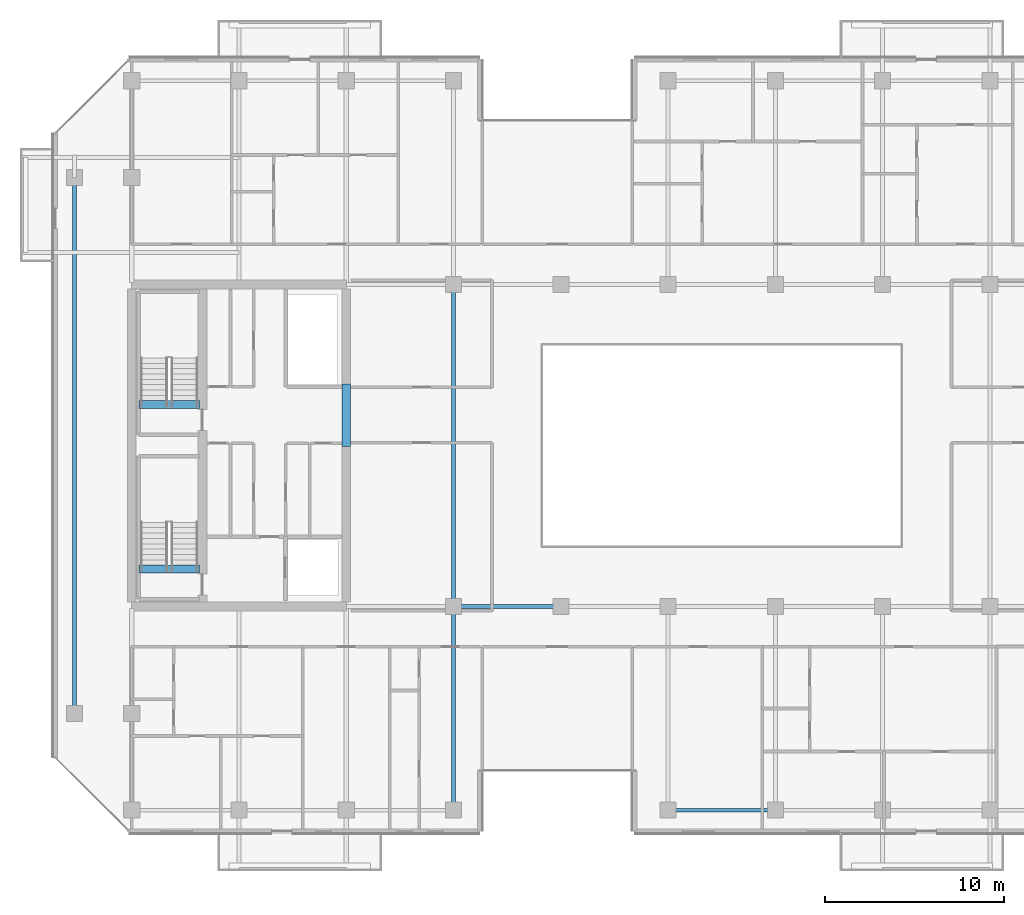
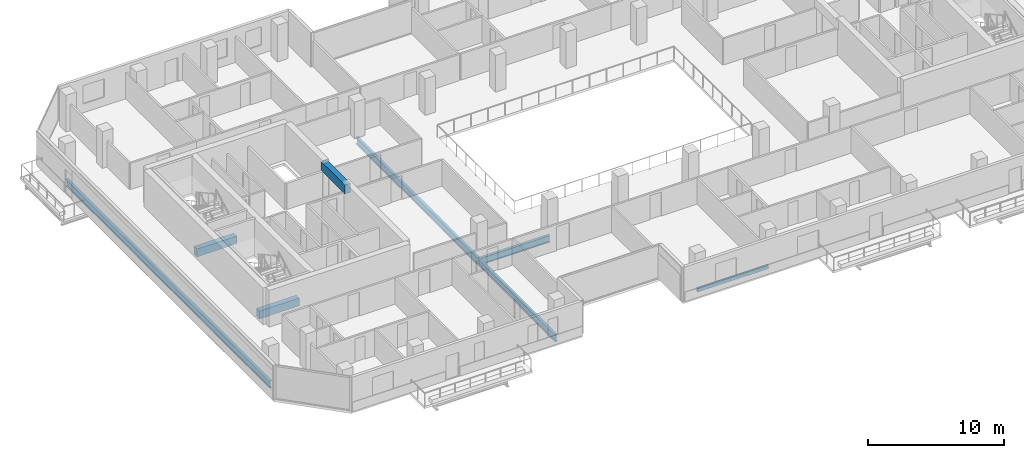
# One storey, part 5 of 29: 8 beams.
"""IFC4 building model written with IfcOpenShell, lengths in metres."""

import ifcopenshell
import ifcopenshell.guid

model = None  # the IFC model being written
_history = None  # IfcOwnerHistory: only IFC2X3 demands one
_inside = {}  # id of a spatial element -> (the spatial element, [elements in it])
_under = {}  # id of a project, library or spatial element -> (it, [spatial elements below it])
_declared = {}  # id of a project -> (the project, [libraries it declares])
_typed = {}  # id of a type object -> (the type object, [elements of that type])
_made_of = {}  # id of a material, layer set ... -> (it, [elements and type objects made of it])


def new_model(schema):
    """Start an empty IFC model of exactly this schema.

    Asked for "IFC4X3", IfcOpenShell would pick the latest addendum, in which some entities
    have other attributes; the version numbers below select the first issue.
    IFC2X3 requires an IfcOwnerHistory on every rooted entity: one is made here for all.
    """
    global model, _history
    if schema == "IFC4X3":
        model = ifcopenshell.file(schema_version=(4, 3, 0, 0))
    else:
        model = ifcopenshell.file(schema=schema)
    _inside.clear()
    _under.clear()
    _declared.clear()
    _typed.clear()
    _made_of.clear()
    _history = None
    if model.schema == "IFC2X3":
        org = make("IfcOrganization", Name="unknown")
        user = make(
            "IfcPersonAndOrganization",
            ThePerson=make("IfcPerson", FamilyName="unknown"),
            TheOrganization=org,
        )
        app = make(
            "IfcApplication",
            ApplicationDeveloper=org,
            Version="unknown",
            ApplicationFullName="unknown",
            ApplicationIdentifier="unknown",
        )
        _history = make(
            "IfcOwnerHistory",
            OwningUser=user,
            OwningApplication=app,
            ChangeAction="ADDED",
            CreationDate=0,
        )
    return model


def make(cls, **values):
    """One entity of the class cls with the attributes given. An attribute that is None is left unset."""
    return model.create_entity(
        cls, **{name: value for name, value in values.items() if value is not None}
    )


def rooted(cls, **values):
    """An entity with a GlobalId (a new one), such as an element, a storey or a relation."""
    return make(cls, GlobalId=ifcopenshell.guid.new(), OwnerHistory=_history, **values)


def si_unit(unit_type, name, prefix=None):
    """IfcSIUnit, for example si_unit("LENGTHUNIT", "METRE", prefix="MILLI")."""
    return make("IfcSIUnit", UnitType=unit_type, Prefix=prefix, Name=name)


def assignment(units):
    """IfcUnitAssignment: the units of a project."""
    return None if units is None else make("IfcUnitAssignment", Units=units)


def point(xyz):
    """IfcCartesianPoint."""
    return None if xyz is None else make("IfcCartesianPoint", Coordinates=xyz)


def direction(xyz):
    """IfcDirection."""
    return None if xyz is None else make("IfcDirection", DirectionRatios=xyz)


def frame(location, z_axis=None, x_axis=None):
    """IfcAxis2Placement3D, a coordinate frame: its origin and axes. An axis left out is left unset."""
    return make(
        "IfcAxis2Placement3D",
        Location=point(location),
        Axis=direction(z_axis),
        RefDirection=direction(x_axis),
    )


def frame_2d(location, x_axis=None):
    """IfcAxis2Placement2D, a coordinate frame in the plane: its origin and x axis."""
    return make(
        "IfcAxis2Placement2D", Location=point(location), RefDirection=direction(x_axis)
    )


def origin():
    """The frame at (0, 0, 0) with its axes left unset."""
    return frame((0.0, 0.0, 0.0))


def origin_2d():
    """The frame at (0, 0) in the plane with its x axis left unset."""
    return frame_2d((0.0, 0.0))


def place(relative_to, where):
    """IfcLocalPlacement: puts the frame where relative to a parent placement (None: the world)."""
    return make(
        "IfcLocalPlacement", PlacementRelTo=relative_to, RelativePlacement=where
    )


def context(
    kind, dimensions, precision=None, world=None, true_north=None, identifier=None
):
    """IfcGeometricRepresentationContext, for example the 3D "Model" context."""
    return make(
        "IfcGeometricRepresentationContext",
        ContextIdentifier=identifier,
        ContextType=kind,
        CoordinateSpaceDimension=dimensions,
        Precision=precision,
        WorldCoordinateSystem=world,
        TrueNorth=true_north,
    )


def subcontext(parent, identifier, kind, view, scale=None):
    """IfcGeometricRepresentationSubContext, for example "Body" below "Model"."""
    return make(
        "IfcGeometricRepresentationSubContext",
        ContextIdentifier=identifier,
        ContextType=kind,
        ParentContext=parent,
        TargetScale=scale,
        TargetView=view,
    )


def project(units=None, contexts=None):
    """IfcProject with its units and contexts."""
    return rooted(
        "IfcProject",
        Name="project",
        RepresentationContexts=contexts,
        UnitsInContext=assignment(units),
    )


def spatial(cls, under=None, at=None, **own):
    """A site, building, storey or space (cls), placed at a placement, below another one or the project."""
    s = rooted(cls, ObjectPlacement=at, **own)
    if under is not None:
        _under.setdefault(under.id(), (under, []))[1].append(s)
    return s


def profile(cls, at=None, kind="AREA", **sizes):
    """A parametric profile (cls). Its sizes go by their IFC names, for example OverallWidth=200.0."""
    return make(cls, ProfileType=kind, Position=at, **sizes)


def rectangle(**sizes):
    """IfcRectangleProfileDef."""
    return profile("IfcRectangleProfileDef", **sizes)


def hollow_rectangle(**sizes):
    """IfcRectangleHollowProfileDef."""
    return profile("IfcRectangleHollowProfileDef", **sizes)


def i_section(**sizes):
    """IfcIShapeProfileDef."""
    return profile("IfcIShapeProfileDef", **sizes)


def extrude(swept, where, along, depth):
    """IfcExtrudedAreaSolid: the profile swept, set in the frame where, extruded along a direction by depth."""
    return make(
        "IfcExtrudedAreaSolid",
        SweptArea=swept,
        Position=where,
        ExtrudedDirection=direction(along),
        Depth=depth,
    )


def shape(context_of_items, identifier, shape_type, items):
    """IfcShapeRepresentation: the items that make up one representation, for example the "Body"."""
    return make(
        "IfcShapeRepresentation",
        ContextOfItems=context_of_items,
        RepresentationIdentifier=identifier,
        RepresentationType=shape_type,
        Items=items,
    )


def material(Name=None, Category=None):
    """IfcMaterial."""
    return make("IfcMaterial", Name=Name, Category=Category)


def material_profile(
    of_material, cross_section, Name=None, Category=None, Priority=None
):
    """IfcMaterialProfile: a cross section and its material."""
    return make(
        "IfcMaterialProfile",
        Name=Name,
        Material=of_material,
        Profile=cross_section,
        Priority=Priority,
        Category=Category,
    )


def profile_set(profiles, Name=None, composite=None):
    """IfcMaterialProfileSet."""
    return make(
        "IfcMaterialProfileSet",
        Name=Name,
        MaterialProfiles=profiles,
        CompositeProfile=composite,
    )


def made_of(thing, what):
    """Note that an element or type object is made of a material, layer set ...; save() writes the relation."""
    if what is not None:
        _made_of.setdefault(what.id(), (what, []))[1].append(thing)
    return thing


def type_object(cls, material=None, **own):
    """A type object (cls), such as IfcWallType, which elements share."""
    return made_of(rooted(cls, **own), material)


def element(
    cls,
    number,
    at=None,
    inside=None,
    cuts=None,
    type_object=None,
    material=None,
    context=None,
    identifier="Body",
    shape_type=None,
    held_by="IfcProductDefinitionShape",
    body=None,
    shapes=None,
    **own,
):
    """One element of the class cls, such as IfcWall. Its Tag is "e" and its number.

    at: its placement. inside: the storey or other place that contains it. cuts: it is an
    opening in that element (IfcRelVoidsElement). A single representation is given by context,
    identifier, shape_type and body (its items); several are given by shapes. held_by: the class
    of the entity that holds the representations. save() writes the other relations.
    """
    e = rooted(cls, Tag="e%d" % number, ObjectPlacement=at, **own)
    if body is not None:
        shapes = [shape(context, identifier, shape_type, body)]
    if shapes is not None:
        e.Representation = make(held_by, Representations=shapes)
    if inside is not None:
        _inside.setdefault(inside.id(), (inside, []))[1].append(e)
    if cuts is not None:
        rooted(
            "IfcRelVoidsElement", RelatingBuildingElement=cuts, RelatedOpeningElement=e
        )
    if type_object is not None:
        _typed.setdefault(type_object.id(), (type_object, []))[1].append(e)
    return made_of(e, material)


def aggregate(whole, parts):
    """IfcRelAggregates: a whole, such as a stair, and the parts it consists of."""
    return rooted("IfcRelAggregates", RelatingObject=whole, RelatedObjects=parts)


def save(model, path):
    """Write the relations noted so far, then the file.

    IfcRelAggregates (storeys below a building ...), IfcRelContainedInSpatialStructure (elements
    in a storey), IfcRelDefinesByType, IfcRelAssociatesMaterial and IfcRelDeclares: one each for
    every whole, place, type object, material and project.
    """
    for whole, parts in _under.values():
        aggregate(whole, parts)
    for where, things in _inside.values():
        rooted(
            "IfcRelContainedInSpatialStructure",
            RelatedElements=things,
            RelatingStructure=where,
        )
    for kind, things in _typed.values():
        rooted("IfcRelDefinesByType", RelatedObjects=things, RelatingType=kind)
    for what, things in _made_of.values():
        rooted("IfcRelAssociatesMaterial", RelatedObjects=things, RelatingMaterial=what)
    for by, libraries in _declared.values():
        rooted("IfcRelDeclares", RelatingContext=by, RelatedDefinitions=libraries)
    model.write(path)


model = new_model("IFC4")

# Units and contexts
model_context = context("Model", 3, precision=1e-05, world=origin(), true_north=direction((0.0, 1.0)))
body_context = subcontext(model_context, "Body", "Model", "MODEL_VIEW")
ifc_project = project(units=[si_unit("LENGTHUNIT", "METRE"), si_unit("AREAUNIT", "SQUARE_METRE"), si_unit("VOLUMEUNIT", "CUBIC_METRE"), si_unit("PLANEANGLEUNIT", "RADIAN"), si_unit("MASSUNIT", "GRAM", prefix="KILO")], contexts=[model_context])

# Site, building, storey
site_placement = place(None, origin())
site = spatial("IfcSite", under=ifc_project, at=site_placement, CompositionType="ELEMENT")
building_placement = place(site_placement, origin())
building = spatial("IfcBuilding", under=site, at=building_placement, Name="Tanjung Sevakor Pilgrim Tower", CompositionType="ELEMENT")
storey_placement = place(building_placement, frame((0.0, 0.0, 151.800048828125)))
storey = spatial("IfcBuildingStorey", under=building, at=storey_placement, Name="L42", CompositionType="ELEMENT", Elevation=151.800048828125)

# Beams
ifc_material_1 = material(Name="Steel S355J2", Category="steel")
ifc_material_profile_1 = material_profile(ifc_material_1, i_section(OverallWidth=0.230224609375, OverallDepth=0.6171875, WebThickness=0.01318359375, FlangeThickness=0.022216796875, FilletRadius=0.0126953125, at=origin_2d()))
ifc_profile_set_1 = profile_set([ifc_material_profile_1], Name="Steel S355J2")
beam_type_1 = type_object("IfcBeamType", Name="BM-B-G3-UB_610x229x140", PredefinedType="BEAM", material=ifc_profile_set_1)
beam_1_placement = place(storey_placement, frame((42.0, 24.60009765625, -0.528564453125), z_axis=(1.0, 0.0, 0.0), x_axis=(0.0, 1.0, 0.0)))
element("IfcBeam", 1, at=beam_1_placement, inside=storey, type_object=beam_type_1, Name="L42 Primary Floor Girder MAIN Y246-02", PredefinedType="BEAM", context=body_context, shape_type="SweptSolid", body=[
    extrude(i_section(OverallWidth=0.230224609375, OverallDepth=0.6171875, WebThickness=0.01318359375, FlangeThickness=0.022216796875, FilletRadius=0.0126953125, at=origin_2d()), origin(), (0.0, 0.0, 1.0), 6.0),
])
ifc_material_2 = material(Name="Steel S355J2", Category="steel")
ifc_material_profile_2 = material_profile(ifc_material_2, i_section(OverallWidth=0.22900390625, OverallDepth=0.6123046875, WebThickness=0.011962890625, FlangeThickness=0.01953125, FilletRadius=0.0126953125, at=origin_2d()))
ifc_profile_set_2 = profile_set([ifc_material_profile_2], Name="Steel S355J2")
beam_type_2 = type_object("IfcBeamType", Name="BM-B-G4-UB_610x229x125", PredefinedType="BEAM", material=ifc_profile_set_2)
beam_2_placement = place(storey_placement, frame((20.800048828125, 18.60009765625, -0.526123046875), z_axis=(0.0, 1.0, 0.0), x_axis=(-1.0, 0.0, 0.0)))
element("IfcBeam", 2, at=beam_2_placement, inside=storey, type_object=beam_type_2, Name="L42 Short-End Edge Girder W", PredefinedType="BEAM", context=body_context, shape_type="SweptSolid", body=[
    extrude(i_section(OverallWidth=0.22900390625, OverallDepth=0.6123046875, WebThickness=0.011962890625, FlangeThickness=0.01953125, FilletRadius=0.0126953125, at=origin_2d()), origin(), (0.0, 0.0, 1.0), 30.0),
])
beam_3_placement = place(storey_placement, frame((42.0, 13.199951171875, -0.526123046875), z_axis=(0.0, 1.0, 0.0), x_axis=(-1.0, 0.0, 0.0)))
element("IfcBeam", 3, at=beam_3_placement, inside=storey, type_object=beam_type_2, Name="L42 MAIN Girder 003", PredefinedType="BEAM", context=body_context, shape_type="SweptSolid", body=[
    extrude(i_section(OverallWidth=0.22900390625, OverallDepth=0.6123046875, WebThickness=0.011962890625, FlangeThickness=0.01953125, FilletRadius=0.0126953125, at=origin_2d()), origin(), (0.0, 0.0, 1.0), 11.400146484375),
])
beam_4_placement = place(storey_placement, frame((42.0, 24.60009765625, -0.526123046875), z_axis=(0.0, 1.0, 0.0), x_axis=(-1.0, 0.0, 0.0)))
element("IfcBeam", 4, at=beam_4_placement, inside=storey, type_object=beam_type_2, Name="L42 MAIN Girder 004", PredefinedType="BEAM", context=body_context, shape_type="SweptSolid", body=[
    extrude(i_section(OverallWidth=0.22900390625, OverallDepth=0.6123046875, WebThickness=0.011962890625, FlangeThickness=0.01953125, FilletRadius=0.0126953125, at=origin_2d()), origin(), (0.0, 0.0, 1.0), 18.0),
])
ifc_material_3 = material(Name="Concrete C60/75", Category="concrete")
ifc_material_profile_3 = material_profile(ifc_material_3, rectangle(XDim=0.5, YDim=0.800048828125, at=origin_2d()))
ifc_profile_set_3 = profile_set([ifc_material_profile_3], Name="Concrete C60/75")
beam_type_3 = type_object("IfcBeamType", Name="BM-B-LN2-RC-BM_500x800", PredefinedType="LINTEL", material=ifc_profile_set_3)
beam_5_placement = place(storey_placement, frame((36.0, 33.550048828125, 2.679931640625), z_axis=(0.0, 1.0, 0.0), x_axis=(-1.0, 0.0, 0.0)))
element("IfcBeam", 5, at=beam_5_placement, inside=storey, type_object=beam_type_3, Name="L42 W Core Coupling Lintel", PredefinedType="LINTEL", context=body_context, shape_type="SweptSolid", body=[
    extrude(rectangle(XDim=0.5, YDim=0.800048828125, at=origin_2d()), origin(), (0.0, 0.0, 1.0), 3.5),
])
ifc_material_4 = material(Name="Concrete C60/75", Category="concrete")
ifc_material_profile_4 = material_profile(ifc_material_4, rectangle(XDim=0.449951171875, YDim=0.699951171875, at=origin_2d()))
ifc_profile_set_4 = profile_set([ifc_material_profile_4], Name="Concrete C60/75")
beam_type_4 = type_object("IfcBeamType", Name="BM-B-LN3-RC-BM_450x700", PredefinedType="LINTEL", material=ifc_profile_set_4)
for number, where, z_axis, x_axis, name in (
    (6, (24.39990234375, 26.699951171875, -0.35009765625), (1.0, 0.0, 0.0), (0.0, 1.0, 0.0), "L42 TS-W1 Stair Threshold Beam"),
    (7, (24.39990234375, 35.89990234375, -0.35009765625), (1.0, 0.0, 0.0), (0.0, 1.0, 0.0), "L42 TS-W2 Stair Threshold Beam"),
):
    element("IfcBeam", number, at=place(storey_placement, frame(where, z_axis=z_axis, x_axis=x_axis)), inside=storey, type_object=beam_type_4, Name=name, PredefinedType="LINTEL", context=body_context, shape_type="SweptSolid", body=[
        extrude(rectangle(XDim=0.449951171875, YDim=0.699951171875, at=origin_2d()), origin(), (0.0, 0.0, 1.0), 3.400146484375),
    ])
ifc_material_5 = material(Name="Steel S355J2", Category="steel")
ifc_material_profile_5 = material_profile(ifc_material_5, hollow_rectangle(XDim=0.199951171875, YDim=0.300048828125, WallThickness=0.012451171875, at=origin_2d()))
ifc_profile_set_5 = profile_set([ifc_material_profile_5], Name="Steel S355J2")
beam_type_5 = type_object("IfcBeamType", Name="BM-B-SP3-RHS_300x200x12.5", PredefinedType="SPANDREL", material=ifc_profile_set_5)
beam_6_placement = place(storey_placement, frame((54.0, 13.199951171875, -0.3701171875), z_axis=(1.0, 0.0, 0.0), x_axis=(0.0, 1.0, 0.0)))
element("IfcBeam", 8, at=beam_6_placement, inside=storey, type_object=beam_type_5, Name="L42 Spandrel MAIN S-07", PredefinedType="SPANDREL", context=body_context, shape_type="SweptSolid", body=[
    extrude(hollow_rectangle(XDim=0.199951171875, YDim=0.300048828125, WallThickness=0.012451171875, at=origin_2d()), origin(), (0.0, 0.0, 1.0), 6.0),
])

save(model, "model.ifc")
